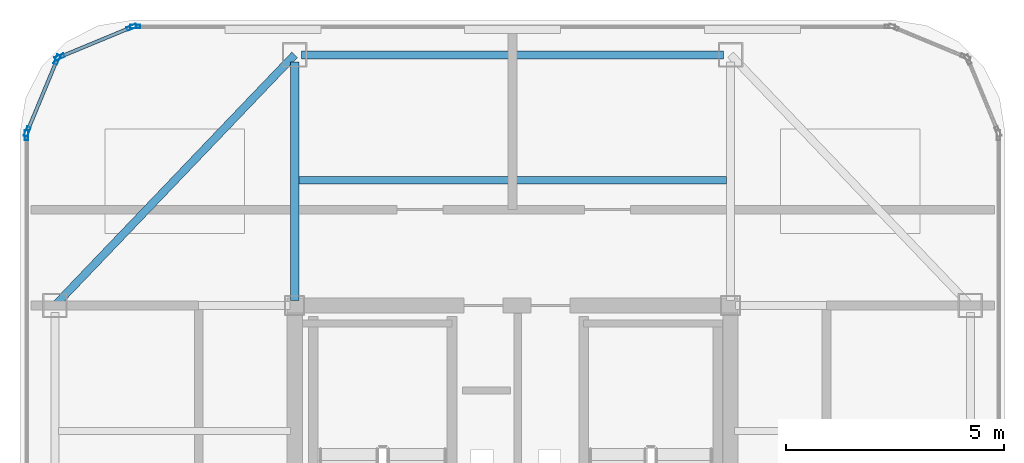
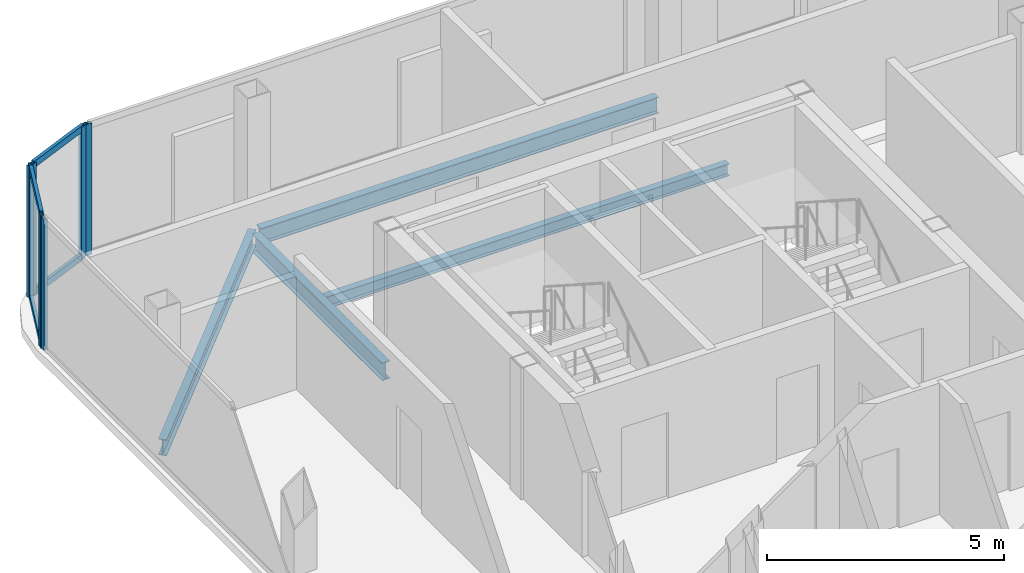
# One storey, part 6 of 11: 10 members, 4 beams, 4 elements without a shape of their own.
"""IFC4 building model written with IfcOpenShell, lengths in metres."""

import ifcopenshell
import ifcopenshell.guid

model = None  # the IFC model being written
_history = None  # IfcOwnerHistory: only IFC2X3 demands one
_inside = {}  # id of a spatial element -> (the spatial element, [elements in it])
_under = {}  # id of a project, library or spatial element -> (it, [spatial elements below it])
_declared = {}  # id of a project -> (the project, [libraries it declares])
_typed = {}  # id of a type object -> (the type object, [elements of that type])
_made_of = {}  # id of a material, layer set ... -> (it, [elements and type objects made of it])


def new_model(schema):
    """Start an empty IFC model of exactly this schema.

    Asked for "IFC4X3", IfcOpenShell would pick the latest addendum, in which some entities
    have other attributes; the version numbers below select the first issue.
    IFC2X3 requires an IfcOwnerHistory on every rooted entity: one is made here for all.
    """
    global model, _history
    if schema == "IFC4X3":
        model = ifcopenshell.file(schema_version=(4, 3, 0, 0))
    else:
        model = ifcopenshell.file(schema=schema)
    _inside.clear()
    _under.clear()
    _declared.clear()
    _typed.clear()
    _made_of.clear()
    _history = None
    if model.schema == "IFC2X3":
        org = make("IfcOrganization", Name="unknown")
        user = make(
            "IfcPersonAndOrganization",
            ThePerson=make("IfcPerson", FamilyName="unknown"),
            TheOrganization=org,
        )
        app = make(
            "IfcApplication",
            ApplicationDeveloper=org,
            Version="unknown",
            ApplicationFullName="unknown",
            ApplicationIdentifier="unknown",
        )
        _history = make(
            "IfcOwnerHistory",
            OwningUser=user,
            OwningApplication=app,
            ChangeAction="ADDED",
            CreationDate=0,
        )
    return model


def make(cls, **values):
    """One entity of the class cls with the attributes given. An attribute that is None is left unset."""
    return model.create_entity(
        cls, **{name: value for name, value in values.items() if value is not None}
    )


def rooted(cls, **values):
    """An entity with a GlobalId (a new one), such as an element, a storey or a relation."""
    return make(cls, GlobalId=ifcopenshell.guid.new(), OwnerHistory=_history, **values)


def si_unit(unit_type, name, prefix=None):
    """IfcSIUnit, for example si_unit("LENGTHUNIT", "METRE", prefix="MILLI")."""
    return make("IfcSIUnit", UnitType=unit_type, Prefix=prefix, Name=name)


def assignment(units):
    """IfcUnitAssignment: the units of a project."""
    return None if units is None else make("IfcUnitAssignment", Units=units)


def point(xyz):
    """IfcCartesianPoint."""
    return None if xyz is None else make("IfcCartesianPoint", Coordinates=xyz)


def direction(xyz):
    """IfcDirection."""
    return None if xyz is None else make("IfcDirection", DirectionRatios=xyz)


def frame(location, z_axis=None, x_axis=None):
    """IfcAxis2Placement3D, a coordinate frame: its origin and axes. An axis left out is left unset."""
    return make(
        "IfcAxis2Placement3D",
        Location=point(location),
        Axis=direction(z_axis),
        RefDirection=direction(x_axis),
    )


def frame_2d(location, x_axis=None):
    """IfcAxis2Placement2D, a coordinate frame in the plane: its origin and x axis."""
    return make(
        "IfcAxis2Placement2D", Location=point(location), RefDirection=direction(x_axis)
    )


def origin():
    """The frame at (0, 0, 0) with its axes left unset."""
    return frame((0.0, 0.0, 0.0))


def origin_2d():
    """The frame at (0, 0) in the plane with its x axis left unset."""
    return frame_2d((0.0, 0.0))


def place(relative_to, where):
    """IfcLocalPlacement: puts the frame where relative to a parent placement (None: the world)."""
    return make(
        "IfcLocalPlacement", PlacementRelTo=relative_to, RelativePlacement=where
    )


def context(
    kind, dimensions, precision=None, world=None, true_north=None, identifier=None
):
    """IfcGeometricRepresentationContext, for example the 3D "Model" context."""
    return make(
        "IfcGeometricRepresentationContext",
        ContextIdentifier=identifier,
        ContextType=kind,
        CoordinateSpaceDimension=dimensions,
        Precision=precision,
        WorldCoordinateSystem=world,
        TrueNorth=true_north,
    )


def subcontext(parent, identifier, kind, view, scale=None):
    """IfcGeometricRepresentationSubContext, for example "Body" below "Model"."""
    return make(
        "IfcGeometricRepresentationSubContext",
        ContextIdentifier=identifier,
        ContextType=kind,
        ParentContext=parent,
        TargetScale=scale,
        TargetView=view,
    )


def project(units=None, contexts=None):
    """IfcProject with its units and contexts."""
    return rooted(
        "IfcProject",
        Name="project",
        RepresentationContexts=contexts,
        UnitsInContext=assignment(units),
    )


def spatial(cls, under=None, at=None, **own):
    """A site, building, storey or space (cls), placed at a placement, below another one or the project."""
    s = rooted(cls, ObjectPlacement=at, **own)
    if under is not None:
        _under.setdefault(under.id(), (under, []))[1].append(s)
    return s


def profile(cls, at=None, kind="AREA", **sizes):
    """A parametric profile (cls). Its sizes go by their IFC names, for example OverallWidth=200.0."""
    return make(cls, ProfileType=kind, Position=at, **sizes)


def hollow_rectangle(**sizes):
    """IfcRectangleHollowProfileDef."""
    return profile("IfcRectangleHollowProfileDef", **sizes)


def i_section(**sizes):
    """IfcIShapeProfileDef."""
    return profile("IfcIShapeProfileDef", **sizes)


def extrude(swept, where, along, depth):
    """IfcExtrudedAreaSolid: the profile swept, set in the frame where, extruded along a direction by depth."""
    return make(
        "IfcExtrudedAreaSolid",
        SweptArea=swept,
        Position=where,
        ExtrudedDirection=direction(along),
        Depth=depth,
    )


def shape(context_of_items, identifier, shape_type, items):
    """IfcShapeRepresentation: the items that make up one representation, for example the "Body"."""
    return make(
        "IfcShapeRepresentation",
        ContextOfItems=context_of_items,
        RepresentationIdentifier=identifier,
        RepresentationType=shape_type,
        Items=items,
    )


def source(mapping_origin, context_of_items, identifier, shape_type, items):
    """IfcRepresentationMap: a shape defined once, which mapped items show again and again."""
    return make(
        "IfcRepresentationMap",
        MappingOrigin=mapping_origin,
        MappedRepresentation=shape(context_of_items, identifier, shape_type, items),
    )


def transform(
    local_origin,
    x_axis=None,
    y_axis=None,
    z_axis=None,
    scale=None,
    scale2=None,
    scale3=None,
    uniform=True,
):
    """IfcCartesianTransformationOperator3D, or its non-uniform kind. x_axis, y_axis, z_axis: its Axis1, 2, 3."""
    if uniform:
        return make(
            "IfcCartesianTransformationOperator3D",
            Axis1=direction(x_axis),
            Axis2=direction(y_axis),
            LocalOrigin=point(local_origin),
            Scale=scale,
            Axis3=direction(z_axis),
        )
    return make(
        "IfcCartesianTransformationOperator3DnonUniform",
        Axis1=direction(x_axis),
        Axis2=direction(y_axis),
        LocalOrigin=point(local_origin),
        Scale=scale,
        Axis3=direction(z_axis),
        Scale2=scale2,
        Scale3=scale3,
    )


def mapped(mapping_source, mapping_target):
    """IfcMappedItem: shows the shape of a source again, moved by a transform."""
    return make(
        "IfcMappedItem", MappingSource=mapping_source, MappingTarget=mapping_target
    )


def material(Name=None, Category=None):
    """IfcMaterial."""
    return make("IfcMaterial", Name=Name, Category=Category)


def layer(
    of_material, thickness, ventilated=None, Name=None, Category=None, Priority=None
):
    """IfcMaterialLayer: one layer of a wall or slab, of a material (None: an air gap)."""
    return make(
        "IfcMaterialLayer",
        Material=of_material,
        LayerThickness=thickness,
        IsVentilated=ventilated,
        Name=Name,
        Category=Category,
        Priority=Priority,
    )


def layer_set(layers, Name=None):
    """IfcMaterialLayerSet."""
    return make("IfcMaterialLayerSet", MaterialLayers=layers, LayerSetName=Name)


def material_profile(
    of_material, cross_section, Name=None, Category=None, Priority=None
):
    """IfcMaterialProfile: a cross section and its material."""
    return make(
        "IfcMaterialProfile",
        Name=Name,
        Material=of_material,
        Profile=cross_section,
        Priority=Priority,
        Category=Category,
    )


def profile_set(profiles, Name=None, composite=None):
    """IfcMaterialProfileSet."""
    return make(
        "IfcMaterialProfileSet",
        Name=Name,
        MaterialProfiles=profiles,
        CompositeProfile=composite,
    )


def made_of(thing, what):
    """Note that an element or type object is made of a material, layer set ...; save() writes the relation."""
    if what is not None:
        _made_of.setdefault(what.id(), (what, []))[1].append(thing)
    return thing


def type_object(cls, material=None, **own):
    """A type object (cls), such as IfcWallType, which elements share."""
    return made_of(rooted(cls, **own), material)


def element(
    cls,
    number,
    at=None,
    inside=None,
    cuts=None,
    type_object=None,
    material=None,
    context=None,
    identifier="Body",
    shape_type=None,
    held_by="IfcProductDefinitionShape",
    body=None,
    shapes=None,
    **own,
):
    """One element of the class cls, such as IfcWall. Its Tag is "e" and its number.

    at: its placement. inside: the storey or other place that contains it. cuts: it is an
    opening in that element (IfcRelVoidsElement). A single representation is given by context,
    identifier, shape_type and body (its items); several are given by shapes. held_by: the class
    of the entity that holds the representations. save() writes the other relations.
    """
    e = rooted(cls, Tag="e%d" % number, ObjectPlacement=at, **own)
    if body is not None:
        shapes = [shape(context, identifier, shape_type, body)]
    if shapes is not None:
        e.Representation = make(held_by, Representations=shapes)
    if inside is not None:
        _inside.setdefault(inside.id(), (inside, []))[1].append(e)
    if cuts is not None:
        rooted(
            "IfcRelVoidsElement", RelatingBuildingElement=cuts, RelatedOpeningElement=e
        )
    if type_object is not None:
        _typed.setdefault(type_object.id(), (type_object, []))[1].append(e)
    return made_of(e, material)


def aggregate(whole, parts):
    """IfcRelAggregates: a whole, such as a stair, and the parts it consists of."""
    return rooted("IfcRelAggregates", RelatingObject=whole, RelatedObjects=parts)


def save(model, path):
    """Write the relations noted so far, then the file.

    IfcRelAggregates (storeys below a building ...), IfcRelContainedInSpatialStructure (elements
    in a storey), IfcRelDefinesByType, IfcRelAssociatesMaterial and IfcRelDeclares: one each for
    every whole, place, type object, material and project.
    """
    for whole, parts in _under.values():
        aggregate(whole, parts)
    for where, things in _inside.values():
        rooted(
            "IfcRelContainedInSpatialStructure",
            RelatedElements=things,
            RelatingStructure=where,
        )
    for kind, things in _typed.values():
        rooted("IfcRelDefinesByType", RelatedObjects=things, RelatingType=kind)
    for what, things in _made_of.values():
        rooted("IfcRelAssociatesMaterial", RelatedObjects=things, RelatingMaterial=what)
    for by, libraries in _declared.values():
        rooted("IfcRelDeclares", RelatingContext=by, RelatedDefinitions=libraries)
    model.write(path)


model = new_model("IFC4")

# Units and contexts
model_context = context("Model", 3, precision=1e-05, world=origin(), true_north=direction((0.0, 1.0)))
body_context = subcontext(model_context, "Body", "Model", "MODEL_VIEW")
ifc_project = project(units=[si_unit("LENGTHUNIT", "METRE"), si_unit("AREAUNIT", "SQUARE_METRE"), si_unit("VOLUMEUNIT", "CUBIC_METRE"), si_unit("PLANEANGLEUNIT", "RADIAN"), si_unit("MASSUNIT", "GRAM", prefix="KILO")], contexts=[model_context])

# Site, building, storey
site_placement = place(None, origin())
site = spatial("IfcSite", under=ifc_project, at=site_placement, CompositionType="ELEMENT")
building_placement = place(site_placement, origin())
building = spatial("IfcBuilding", under=site, at=building_placement, Name="Kolveth Station Tower", CompositionType="ELEMENT")
storey_placement = place(building_placement, frame((0.0, 0.0, 289.300048828125)))
storey = spatial("IfcBuildingStorey", under=building, at=storey_placement, Name="L83", CompositionType="ELEMENT", Elevation=289.300048828125)

# Beams
ifc_material_1 = material(Name="Steel S355", Category="steel")
ifc_material_profile_1 = material_profile(ifc_material_1, i_section(OverallWidth=0.180908203125, OverallDepth=0.4169921875, WebThickness=0.010986328125, FlangeThickness=0.018310546875, at=origin_2d()), Name="W410x85")
ifc_profile_set_1 = profile_set([ifc_material_profile_1], Name="Steel S355")
beam_type_1 = type_object("IfcBeamType", Name="Beam_B8", PredefinedType="BEAM", material=ifc_profile_set_1)
shared_shape_1 = source(origin(), body_context, "Body", "SweptSolid", [
    extrude(i_section(OverallWidth=0.180908203125, OverallDepth=0.4169921875, WebThickness=0.010986328125, FlangeThickness=0.018310546875, at=origin_2d()), origin(), (0.0, 0.0, 1.0), 9.68017578125),
])
beam_1_placement = place(storey_placement, frame((18.659912109375, 34.5, -0.428466796875), z_axis=(1.0, 0.0, 0.0), x_axis=(0.0, 1.0, 0.0)))
element("IfcBeam", 1, at=beam_1_placement, inside=storey, type_object=beam_type_1, Name="L83 Perimeter Spandrel BM-L83-PN-1", PredefinedType="BEAM", context=body_context, shape_type="MappedRepresentation", body=[
    mapped(shared_shape_1, transform((0.0, 0.0, 0.0), x_axis=(1.0, 0.0, 0.0), y_axis=(0.0, 1.0, 0.0), z_axis=(0.0, 0.0, 1.0), scale=1.0)),
])
ifc_material_profile_2 = material_profile(ifc_material_1, i_section(OverallWidth=0.19091796875, OverallDepth=0.4599609375, WebThickness=0.010009765625, FlangeThickness=0.01611328125, at=origin_2d()), Name="W460x82")
ifc_profile_set_2 = profile_set([ifc_material_profile_2], Name="Steel S355")
beam_type_2 = type_object("IfcBeamType", Name="Beam_B7", PredefinedType="BEAM", material=ifc_profile_set_2)
shared_shape_2 = source(origin(), body_context, "Body", "SweptSolid", [
    extrude(i_section(OverallWidth=0.19091796875, OverallDepth=0.4599609375, WebThickness=0.010009765625, FlangeThickness=0.01611328125, at=origin_2d()), origin(), (0.0, 0.0, 1.0), 5.47998046875),
])
beam_2_placement = place(storey_placement, frame((18.5, 28.860107421875, -0.449951171875), z_axis=(0.0, 1.0, 0.0), x_axis=(-1.0, 0.0, 0.0)))
element("IfcBeam", 2, at=beam_2_placement, inside=storey, type_object=beam_type_2, Name="L83 Primary Girder BM-L83-GX185-5", PredefinedType="BEAM", context=body_context, shape_type="MappedRepresentation", body=[
    mapped(shared_shape_2, transform((0.0, 0.0, 0.0), x_axis=(1.0, 0.0, 0.0), y_axis=(0.0, 1.0, 0.0), z_axis=(0.0, 0.0, 1.0), scale=1.0)),
])
ifc_material_profile_3 = material_profile(ifc_material_1, i_section(OverallWidth=0.1650390625, OverallDepth=0.31005859375, WebThickness=0.005859375, FlangeThickness=0.009765625, at=origin_2d()), Name="W310x39")
ifc_profile_set_3 = profile_set([ifc_material_profile_3], Name="Steel S355")
beam_type_3 = type_object("IfcBeamType", Name="Beam_J3", PredefinedType="JOIST", material=ifc_profile_set_3)
shared_shape_3 = source(origin(), body_context, "Body", "SweptSolid", [
    extrude(i_section(OverallWidth=0.1650390625, OverallDepth=0.31005859375, WebThickness=0.005859375, FlangeThickness=0.009765625, at=origin_2d()), origin(), (0.0, 0.0, 1.0), 9.81298828125),
])
beam_3_placement = place(storey_placement, frame((18.593505859375, 31.625, -0.375), z_axis=(1.0, 0.0, 0.0), x_axis=(0.0, 1.0, 0.0)))
element("IfcBeam", 3, at=beam_3_placement, inside=storey, type_object=beam_type_3, Name="L83 Secondary Joist JST-L83-2-5", PredefinedType="JOIST", context=body_context, shape_type="MappedRepresentation", body=[
    mapped(shared_shape_3, transform((0.0, 0.0, 0.0), x_axis=(1.0, 0.0, 0.0), y_axis=(0.0, 1.0, 0.0), z_axis=(0.0, 0.0, 1.0), scale=1.0)),
])
shared_shape_4 = source(origin(), body_context, "Body", "SweptSolid", [
    extrude(i_section(OverallWidth=0.180908203125, OverallDepth=0.4169921875, WebThickness=0.010986328125, FlangeThickness=0.018310546875, at=origin_2d()), origin(), (0.0, 0.0, 1.0), 7.95703125),
])
beam_4_placement = place(storey_placement, frame((18.5, 34.5, -0.428466796875), z_axis=(-0.691222645967, -0.722641857148, 0.0), x_axis=(0.722641857148, -0.691222645967, 0.0)))
element("IfcBeam", 4, at=beam_4_placement, inside=storey, type_object=beam_type_1, Name="L83 Corner Edge Girder BM-L83-CNR-NW", PredefinedType="BEAM", context=body_context, shape_type="MappedRepresentation", body=[
    mapped(shared_shape_4, transform((0.0, 0.0, 0.0), x_axis=(1.0, 0.0, 0.0), y_axis=(0.0, 1.0, 0.0), z_axis=(0.0, 0.0, 1.0), scale=1.0)),
])

# Curtain wall, member
ifc_material_2 = material(Name="Black anodized aluminium 6063-T6 and dark crown glass", Category="aluminium")
ifc_layer = layer(ifc_material_2, 0.169921875)
ifc_layer_set = layer_set([ifc_layer], Name="Black anodized aluminium 6063-T6 and dark crown glass")
curtain_wall_type = type_object("IfcCurtainWallType", Name="CurtainWall_CW-CR", PredefinedType="NOTDEFINED", material=ifc_layer_set)
curtain_wall_1_placement = place(storey_placement, origin())
curtain_wall_1 = element("IfcCurtainWall", 5, at=curtain_wall_1_placement, inside=storey, type_object=curtain_wall_type, Name="L83 Stepped Crown Curtain Wall 6", PredefinedType="NOTDEFINED")
ifc_material_3 = material(Name="Black anodized aluminium 6063-T6", Category="aluminium")
ifc_material_profile_4 = material_profile(ifc_material_3, hollow_rectangle(XDim=0.0849609375, YDim=0.22998046875, WallThickness=0.0048828125, at=origin_2d()), Name="ALU-85x230x5")
ifc_profile_set_4 = profile_set([ifc_material_profile_4], Name="Black anodized aluminium 6063-T6")
member_type_1 = type_object("IfcMemberType", Name="Mullion_ML-CR", PredefinedType="MULLION", material=ifc_profile_set_4)
shared_shape_5 = source(origin(), body_context, "Body", "SweptSolid", [
    extrude(hollow_rectangle(XDim=0.0849609375, YDim=0.22998046875, WallThickness=0.0048828125, at=origin_2d()), origin(), (0.0, 0.0, 1.0), 3.3798828125),
])
member_1_placement = place(storey_placement, frame((14.842529296875, 35.14990234375, 0.0), z_axis=(0.0, 0.0, 1.0), x_axis=(0.0, -1.0, 0.0)))
member_1 = element("IfcMember", 6, at=member_1_placement, type_object=member_type_1, Name="CW-CR mullion 2", PredefinedType="MULLION", context=body_context, shape_type="MappedRepresentation", body=[
    mapped(shared_shape_5, transform((0.0, 0.0, 0.0), x_axis=(1.0, 0.0, 0.0), y_axis=(0.0, 1.0, 0.0), z_axis=(0.0, 0.0, 1.0), scale=1.0)),
])
aggregate(curtain_wall_1, [member_1])

# Curtain wall, members
curtain_wall_2_placement = place(storey_placement, origin())
curtain_wall_2 = element("IfcCurtainWall", 7, at=curtain_wall_2_placement, inside=storey, type_object=curtain_wall_type, Name="L83 Stepped Crown Curtain Wall 7", PredefinedType="NOTDEFINED")
member_2_placement = place(storey_placement, frame((14.7607421875, 35.1337890625, 0.0), z_axis=(0.0, 0.0, 1.0), x_axis=(0.382690908701, -0.923876435676, 0.0)))
member_2 = element("IfcMember", 8, at=member_2_placement, type_object=member_type_1, Name="CW-CR mullion 1", PredefinedType="MULLION", context=body_context, shape_type="MappedRepresentation", body=[
    mapped(shared_shape_5, transform((0.0, 0.0, 0.0), x_axis=(1.0, 0.0, 0.0), y_axis=(0.0, 1.0, 0.0), z_axis=(0.0, 0.0, 1.0), scale=1.0)),
])
member_3_placement = place(storey_placement, frame((13.10693359375, 34.44873046875, 0.0), z_axis=(0.0, 0.0, 1.0), x_axis=(0.382690908701, -0.923876435676, 0.0)))
member_3 = element("IfcMember", 9, at=member_3_placement, type_object=member_type_1, Name="CW-CR mullion 2", PredefinedType="MULLION", context=body_context, shape_type="MappedRepresentation", body=[
    mapped(shared_shape_5, transform((0.0, 0.0, 0.0), x_axis=(1.0, 0.0, 0.0), y_axis=(0.0, 1.0, 0.0), z_axis=(0.0, 0.0, 1.0), scale=1.0)),
])

curtain_wall_3_placement = place(storey_placement, origin())
curtain_wall_3 = element("IfcCurtainWall", 10, at=curtain_wall_3_placement, inside=storey, type_object=curtain_wall_type, Name="L83 Stepped Crown Curtain Wall 8", PredefinedType="NOTDEFINED")
member_4_placement = place(storey_placement, frame((13.05126953125, 34.39306640625, 0.0), z_axis=(0.0, 0.0, 1.0), x_axis=(0.923876435676, -0.382690908701, 0.0)))
member_4 = element("IfcMember", 11, at=member_4_placement, type_object=member_type_1, Name="CW-CR mullion 1", PredefinedType="MULLION", context=body_context, shape_type="MappedRepresentation", body=[
    mapped(shared_shape_5, transform((0.0, 0.0, 0.0), x_axis=(1.0, 0.0, 0.0), y_axis=(0.0, 1.0, 0.0), z_axis=(0.0, 0.0, 1.0), scale=1.0)),
])
member_5_placement = place(storey_placement, frame((12.3662109375, 32.7392578125, 0.0), z_axis=(0.0, 0.0, 1.0), x_axis=(0.923876435676, -0.382690908701, 0.0)))
member_5 = element("IfcMember", 12, at=member_5_placement, type_object=member_type_1, Name="CW-CR mullion 2", PredefinedType="MULLION", context=body_context, shape_type="MappedRepresentation", body=[
    mapped(shared_shape_5, transform((0.0, 0.0, 0.0), x_axis=(1.0, 0.0, 0.0), y_axis=(0.0, 1.0, 0.0), z_axis=(0.0, 0.0, 1.0), scale=1.0)),
])

# Curtain wall, member
curtain_wall_4_placement = place(storey_placement, origin())
curtain_wall_4 = element("IfcCurtainWall", 13, at=curtain_wall_4_placement, inside=storey, type_object=curtain_wall_type, Name="L83 Stepped Crown Curtain Wall 9", PredefinedType="NOTDEFINED")
member_6_placement = place(storey_placement, frame((12.35009765625, 32.657470703125, 0.0), z_axis=(0.0, 0.0, 1.0), x_axis=(1.0, 0.0, 0.0)))
member_6 = element("IfcMember", 14, at=member_6_placement, type_object=member_type_1, Name="CW-CR mullion 1", PredefinedType="MULLION", context=body_context, shape_type="MappedRepresentation", body=[
    mapped(shared_shape_5, transform((0.0, 0.0, 0.0), x_axis=(1.0, 0.0, 0.0), y_axis=(0.0, 1.0, 0.0), z_axis=(0.0, 0.0, 1.0), scale=1.0)),
])
aggregate(curtain_wall_4, [member_6])

# Member
ifc_material_profile_5 = material_profile(ifc_material_3, hollow_rectangle(XDim=0.080078125, YDim=0.1650390625, WallThickness=0.0048828125, at=origin_2d()), Name="ALU-80x165x5")
ifc_profile_set_5 = profile_set([ifc_material_profile_5], Name="Black anodized aluminium 6063-T6")
member_type_2 = type_object("IfcMemberType", Name="Transom_TR-CR", PredefinedType="USERDEFINED", material=ifc_profile_set_5)
shared_shape_6 = source(origin(), body_context, "Body", "SweptSolid", [
    extrude(hollow_rectangle(XDim=0.080078125, YDim=0.1650390625, WallThickness=0.0048828125, at=origin_2d()), origin(), (0.0, 0.0, 1.0), 1.705078125),
])
member_7_placement = place(storey_placement, frame((14.721435546875, 35.117431640625, 0.0400390625), z_axis=(-0.923854516996, -0.38274381958, 0.0), x_axis=(0.38274381958, -0.923854516996, 0.0)))
member_7 = element("IfcMember", 15, at=member_7_placement, type_object=member_type_2, Name="CW-CR transom 1.1", ObjectType="TRANSOM", PredefinedType="USERDEFINED", context=body_context, shape_type="MappedRepresentation", body=[
    mapped(shared_shape_6, transform((0.0, 0.0, 0.0), x_axis=(1.0, 0.0, 0.0), y_axis=(0.0, 1.0, 0.0), z_axis=(0.0, 0.0, 1.0), scale=1.0)),
])

member_8_placement = place(storey_placement, frame((14.721435546875, 35.117431640625, 3.33984375), z_axis=(-0.923854516996, -0.38274381958, 0.0), x_axis=(0.38274381958, -0.923854516996, 0.0)))
member_8 = element("IfcMember", 16, at=member_8_placement, type_object=member_type_2, Name="CW-CR transom 1.2", ObjectType="TRANSOM", PredefinedType="USERDEFINED", context=body_context, shape_type="MappedRepresentation", body=[
    mapped(shared_shape_6, transform((0.0, 0.0, 0.0), x_axis=(1.0, 0.0, 0.0), y_axis=(0.0, 1.0, 0.0), z_axis=(0.0, 0.0, 1.0), scale=1.0)),
])

aggregate(curtain_wall_2, [member_2, member_3, member_7, member_8])

member_9_placement = place(storey_placement, frame((13.03515625, 34.353759765625, 0.0400390625), z_axis=(-0.38274381958, -0.923854516996, 0.0), x_axis=(0.923854516996, -0.38274381958, 0.0)))
member_9 = element("IfcMember", 17, at=member_9_placement, type_object=member_type_2, Name="CW-CR transom 1.1", ObjectType="TRANSOM", PredefinedType="USERDEFINED", context=body_context, shape_type="MappedRepresentation", body=[
    mapped(shared_shape_6, transform((0.0, 0.0, 0.0), x_axis=(1.0, 0.0, 0.0), y_axis=(0.0, 1.0, 0.0), z_axis=(0.0, 0.0, 1.0), scale=1.0)),
])

member_10_placement = place(storey_placement, frame((13.03515625, 34.353759765625, 3.33984375), z_axis=(-0.38274381958, -0.923854516996, 0.0), x_axis=(0.923854516996, -0.38274381958, 0.0)))
member_10 = element("IfcMember", 18, at=member_10_placement, type_object=member_type_2, Name="CW-CR transom 1.2", ObjectType="TRANSOM", PredefinedType="USERDEFINED", context=body_context, shape_type="MappedRepresentation", body=[
    mapped(shared_shape_6, transform((0.0, 0.0, 0.0), x_axis=(1.0, 0.0, 0.0), y_axis=(0.0, 1.0, 0.0), z_axis=(0.0, 0.0, 1.0), scale=1.0)),
])

aggregate(curtain_wall_3, [member_4, member_5, member_9, member_10])

save(model, "model.ifc")
